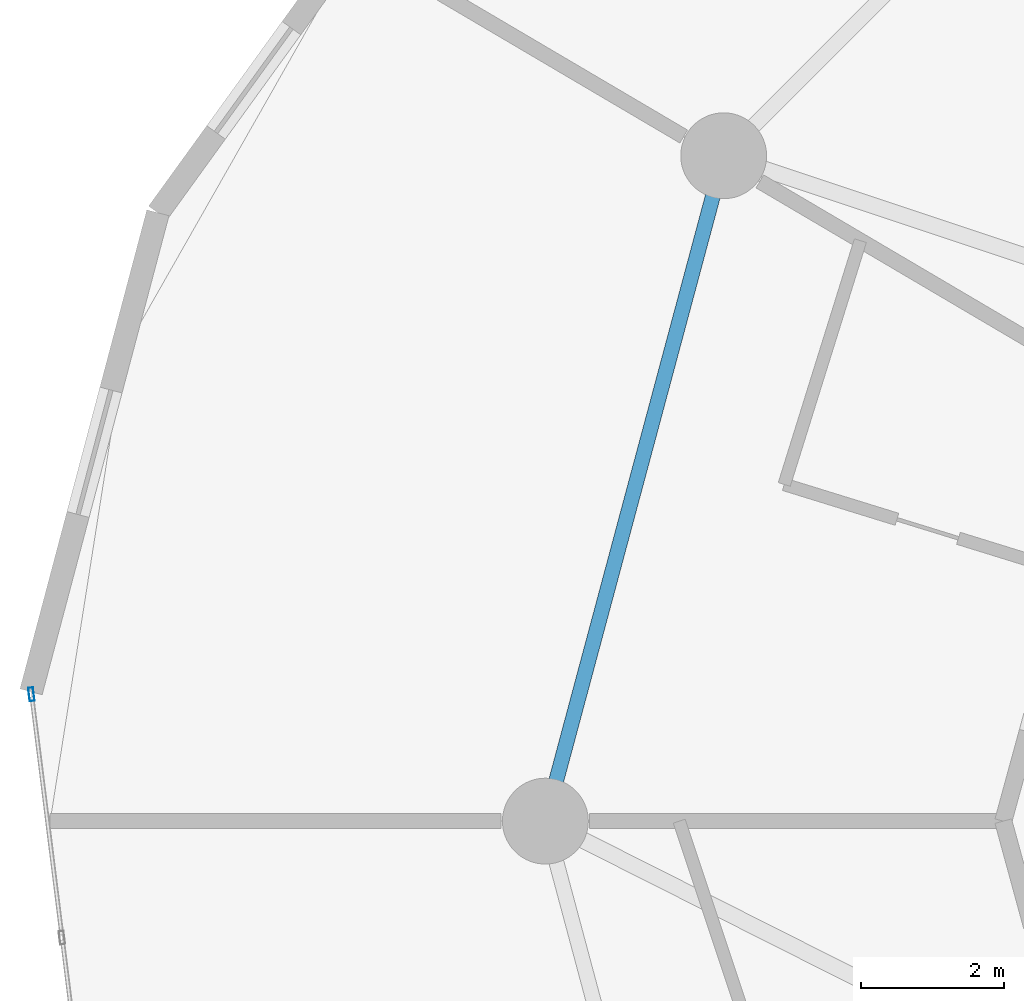
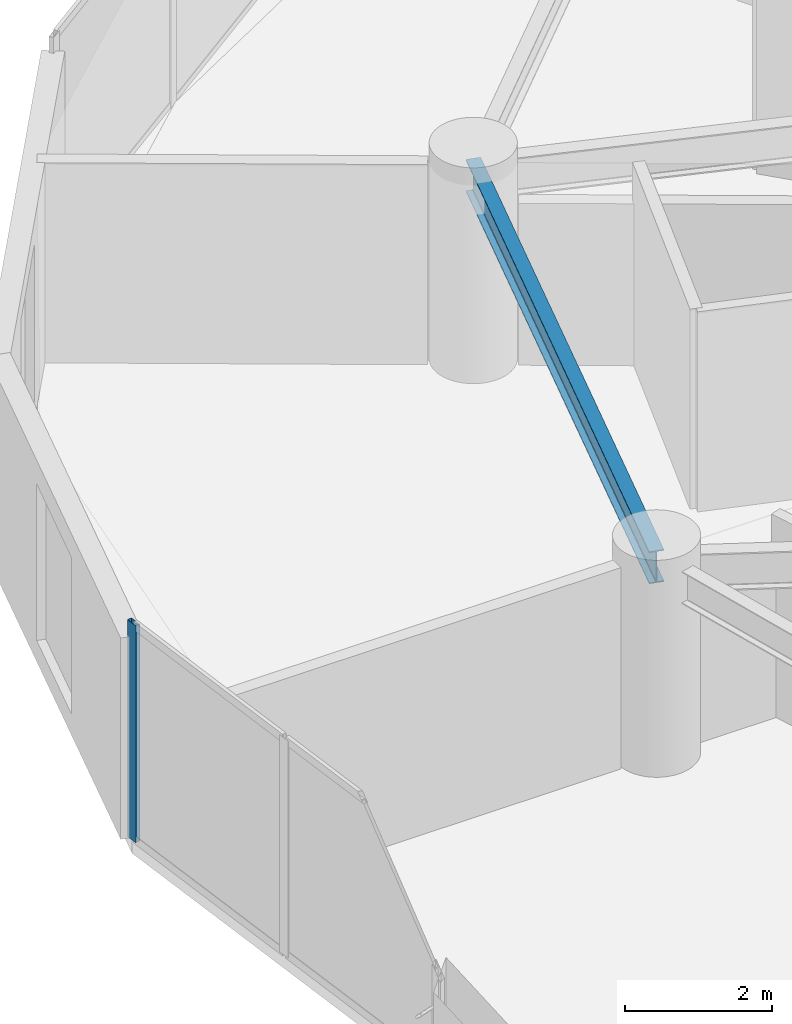
# One storey, part 6 of 26: 1 beam, 1 member, 1 element without a shape of its own.
"""IFC4 building model written with IfcOpenShell, lengths in metres."""

from ifc_helpers import new_model, si_unit, direction, frame, origin, origin_2d, place, context, subcontext, project, spatial, hollow_rectangle, i_section, extrude, source, transform, mapped, material, layer, layer_set, material_profile, profile_set, type_object, element, aggregate, save


model = new_model("IFC4")

# Units and contexts
model_context = context("Model", 3, precision=1e-05, world=origin(), true_north=direction((0.0, 1.0)))
body_context = subcontext(model_context, "Body", "Model", "MODEL_VIEW")
ifc_project = project(units=[si_unit("LENGTHUNIT", "METRE"), si_unit("AREAUNIT", "SQUARE_METRE"), si_unit("VOLUMEUNIT", "CUBIC_METRE"), si_unit("PLANEANGLEUNIT", "RADIAN"), si_unit("MASSUNIT", "GRAM", prefix="KILO")], contexts=[model_context])

# Site, building, storey
site_placement = place(None, origin())
site = spatial("IfcSite", under=ifc_project, at=site_placement, CompositionType="ELEMENT")
building_placement = place(site_placement, origin())
building = spatial("IfcBuilding", under=site, at=building_placement, Name="Solvirekh Grand Hotel", CompositionType="ELEMENT")
storey_placement = place(building_placement, frame((0.0, 0.0, 35.60009765625)))
storey = spatial("IfcBuildingStorey", under=building, at=storey_placement, Name="L07", CompositionType="ELEMENT", Elevation=35.60009765625)

# Beam
ifc_material_1 = material(Name="Steel S355", Category="steel")
ifc_material_profile_1 = material_profile(ifc_material_1, i_section(OverallWidth=0.208984375, OverallDepth=0.532958984375, WebThickness=0.010009765625, FlangeThickness=0.014892578125, FilletRadius=0.013916015625, at=origin_2d()), Name="W530X92")
ifc_profile_set_1 = profile_set([ifc_material_profile_1], Name="Steel S355")
beam_type = type_object("IfcBeamType", Name="Spandrel_Ring_W530", PredefinedType="SPANDREL", material=ifc_profile_set_1)
beam_placement = place(storey_placement, frame((-16.10791015625, 9.300048828125, 3.072998046875), z_axis=(-0.258842973314, -0.965919414426, 0.0), x_axis=(0.965919414426, -0.258842973314, 0.0)))
element("IfcBeam", 1, at=beam_placement, inside=storey, type_object=beam_type, Name="L07 perimeter spandrel beam 6", PredefinedType="SPANDREL", context=body_context, shape_type="SweptSolid", body=[
    extrude(i_section(OverallWidth=0.208984375, OverallDepth=0.532958984375, WebThickness=0.010009765625, FlangeThickness=0.014892578125, FilletRadius=0.013916015625, at=origin_2d()), origin(), (0.0, 0.0, 1.0), 9.628173828125),
])

# Curtain wall, member
ifc_material_2 = material(Name="Anodized Bronze Aluminium 6063-T6", Category="aluminium")
ifc_layer = layer(ifc_material_2, 0.18994140625)
ifc_layer_set = layer_set([ifc_layer], Name="Anodized Bronze Aluminium 6063-T6")
curtain_wall_type = type_object("IfcCurtainWallType", Name="CW_Sys2_LowZoneFlushBronzeCW", PredefinedType="NOTDEFINED", material=ifc_layer_set)
curtain_wall_placement = place(storey_placement, origin())
curtain_wall = element("IfcCurtainWall", 2, at=curtain_wall_placement, inside=storey, type_object=curtain_wall_type, Name="L07 unitised bronze-glass curtain wall CW-L07-C11", PredefinedType="NOTDEFINED")
ifc_material_profile_2 = material_profile(ifc_material_2, hollow_rectangle(XDim=0.070068359375, YDim=0.18994140625, WallThickness=0.0048828125, at=origin_2d()), Name="ALU RHS 190X70X5")
ifc_profile_set_2 = profile_set([ifc_material_profile_2], Name="Anodized Bronze Aluminium 6063-T6")
member_type = type_object("IfcMemberType", Name="CWMullion_Sys2", PredefinedType="MULLION", material=ifc_profile_set_2)
shared_shape = source(origin(), body_context, "Body", "SweptSolid", [
    extrude(hollow_rectangle(XDim=0.070068359375, YDim=0.18994140625, WallThickness=0.0048828125, at=origin_2d()), origin(), (0.0, 0.0, 1.0), 3.599853515625),
])
member_placement = place(storey_placement, frame((-25.78466796875, 1.773193359375, 0.0), z_axis=(0.0, 0.0, 1.0), x_axis=(0.992204390249, 0.124621217979, 0.0)))
member = element("IfcMember", 3, at=member_placement, type_object=member_type, Name="U02 mullion 1", PredefinedType="MULLION", context=body_context, shape_type="MappedRepresentation", body=[
    mapped(shared_shape, transform((0.0, 0.0, 0.0), x_axis=(1.0, 0.0, 0.0), y_axis=(0.0, 1.0, 0.0), z_axis=(0.0, 0.0, 1.0), scale=1.0)),
])
aggregate(curtain_wall, [member])

save(model, "model.ifc")
